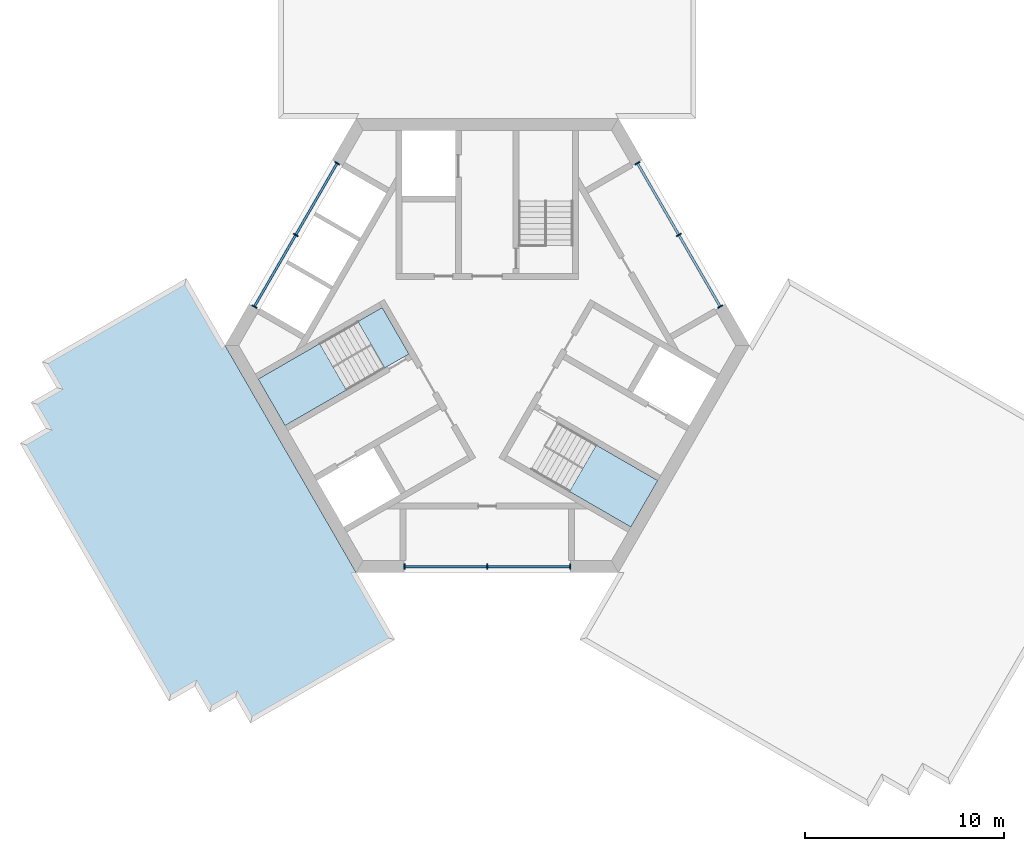
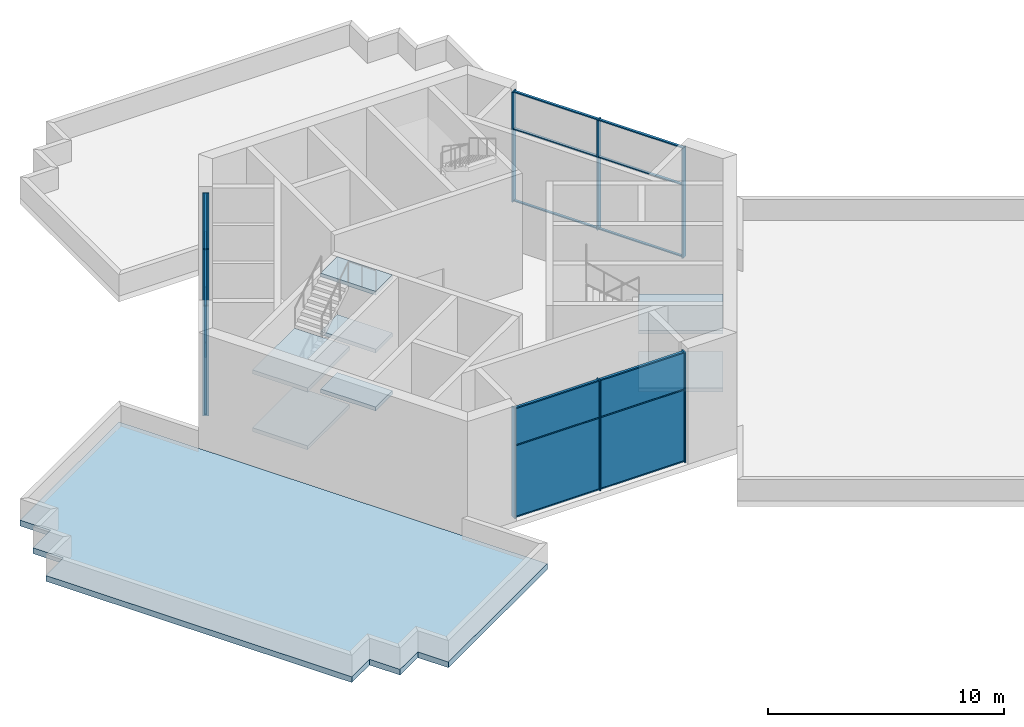
# One storey, part 1 of 5: 27 members, 8 plates, 8 slabs, 5 elements without a shape of their own.
"""IFC4 building model written with IfcOpenShell, lengths in metres."""

from ifc_helpers import new_model, si_unit, direction, frame, origin, origin_2d, place, context, subcontext, project, spatial, polyline, rectangle, outline, extrude, material, layer, layer_set, material_profile, profile_set, type_object, element, aggregate, save


model = new_model("IFC4")

# Units and contexts
model_context = context("Model", 3, precision=1e-05, world=origin(), true_north=direction((0.0, 1.0)))
body_context = subcontext(model_context, "Body", "Model", "MODEL_VIEW")
ifc_project = project(units=[si_unit("LENGTHUNIT", "METRE"), si_unit("AREAUNIT", "SQUARE_METRE"), si_unit("VOLUMEUNIT", "CUBIC_METRE"), si_unit("PLANEANGLEUNIT", "RADIAN"), si_unit("MASSUNIT", "GRAM", prefix="KILO")], contexts=[model_context])

# Site, building, storey
site_placement = place(None, origin())
site = spatial("IfcSite", under=ifc_project, at=site_placement, CompositionType="ELEMENT")
building_placement = place(site_placement, origin())
building = spatial("IfcBuilding", under=site, at=building_placement, Name="Impinga Residences", CompositionType="ELEMENT")
storey_placement = place(building_placement, frame((0.0, 0.0, 295.75)))
storey = spatial("IfcBuildingStorey", under=building, at=storey_placement, Name="L74", CompositionType="ELEMENT", Elevation=295.75)

# Curtain wall, members
ifc_material_1 = material(Name="Aluminium stick curtain wall", Category="aluminium")
curtain_wall_type = type_object("IfcCurtainWallType", Name="CW4 plant floor louvred curtain wall", PredefinedType="USERDEFINED", material=ifc_material_1)
curtain_wall_1_placement = place(storey_placement, origin())
curtain_wall_1 = element("IfcCurtainWall", 1, at=curtain_wall_1_placement, inside=storey, type_object=curtain_wall_type, Name="Curtain wall CW4 L74", ObjectType="STICK CURTAIN WALL", PredefinedType="USERDEFINED")
ifc_material_2 = material(Name="Aluminium mullion", Category="aluminium")
ifc_material_profile_1 = material_profile(ifc_material_2, rectangle(XDim=0.06005859375, YDim=0.27490234375, at=origin_2d()), Name="60x275 mullion")
ifc_profile_set_1 = profile_set([ifc_material_profile_1], Name="Aluminium mullion")
member_type_1 = type_object("IfcMemberType", Name="CW4-M mullion 60x275", PredefinedType="MULLION", material=ifc_profile_set_1)
member_1_placement = place(storey_placement, frame((-4.169921875, -11.131591796875, 0.0), z_axis=(0.0, 0.0, 1.0), x_axis=(1.0, 0.0, 0.0)))
member_1 = element("IfcMember", 2, at=member_1_placement, type_object=member_type_1, Name="CW4 mullion 1", PredefinedType="MULLION", context=body_context, shape_type="SweptSolid", body=[
    extrude(rectangle(XDim=0.06005859375, YDim=0.27490234375, at=origin_2d()), origin(), (0.0, 0.0, 1.0), 5.699951171875),
])
member_2_placement = place(storey_placement, frame((0.0, -11.131591796875, 0.0), z_axis=(0.0, 0.0, 1.0), x_axis=(1.0, 0.0, 0.0)))
member_2 = element("IfcMember", 3, at=member_2_placement, type_object=member_type_1, Name="CW4 mullion 2", PredefinedType="MULLION", context=body_context, shape_type="SweptSolid", body=[
    extrude(rectangle(XDim=0.06005859375, YDim=0.27490234375, at=origin_2d()), origin(), (0.0, 0.0, 1.0), 5.699951171875),
])
member_3_placement = place(storey_placement, frame((4.169921875, -11.131591796875, 0.0), z_axis=(0.0, 0.0, 1.0), x_axis=(1.0, 0.0, 0.0)))
member_3 = element("IfcMember", 4, at=member_3_placement, type_object=member_type_1, Name="CW4 mullion 3", PredefinedType="MULLION", context=body_context, shape_type="SweptSolid", body=[
    extrude(rectangle(XDim=0.06005859375, YDim=0.27490234375, at=origin_2d()), origin(), (0.0, 0.0, 1.0), 5.699951171875),
])

curtain_wall_2_placement = place(storey_placement, origin())
curtain_wall_2 = element("IfcCurtainWall", 5, at=curtain_wall_2_placement, inside=storey, type_object=curtain_wall_type, Name="Curtain wall CW4 L74", ObjectType="STICK CURTAIN WALL", PredefinedType="USERDEFINED")
member_4_placement = place(storey_placement, frame((11.72509765625, 1.954345703125, 0.0), z_axis=(0.0, 0.0, 1.0), x_axis=(-0.500000020194, 0.866025392126, 0.0)))
member_4 = element("IfcMember", 6, at=member_4_placement, type_object=member_type_1, Name="CW4 mullion 1", PredefinedType="MULLION", context=body_context, shape_type="SweptSolid", body=[
    extrude(rectangle(XDim=0.06005859375, YDim=0.27490234375, at=origin_2d()), origin(), (0.0, 0.0, 1.0), 5.699951171875),
])
member_5_placement = place(storey_placement, frame((9.64013671875, 5.565673828125, 0.0), z_axis=(0.0, 0.0, 1.0), x_axis=(-0.500000020194, 0.866025392126, 0.0)))
member_5 = element("IfcMember", 7, at=member_5_placement, type_object=member_type_1, Name="CW4 mullion 2", PredefinedType="MULLION", context=body_context, shape_type="SweptSolid", body=[
    extrude(rectangle(XDim=0.06005859375, YDim=0.27490234375, at=origin_2d()), origin(), (0.0, 0.0, 1.0), 5.699951171875),
])
member_6_placement = place(storey_placement, frame((7.55517578125, 9.177001953125, 0.0), z_axis=(0.0, 0.0, 1.0), x_axis=(-0.500000020194, 0.866025392126, 0.0)))
member_6 = element("IfcMember", 8, at=member_6_placement, type_object=member_type_1, Name="CW4 mullion 3", PredefinedType="MULLION", context=body_context, shape_type="SweptSolid", body=[
    extrude(rectangle(XDim=0.06005859375, YDim=0.27490234375, at=origin_2d()), origin(), (0.0, 0.0, 1.0), 5.699951171875),
])

curtain_wall_3_placement = place(storey_placement, origin())
curtain_wall_3 = element("IfcCurtainWall", 9, at=curtain_wall_3_placement, inside=storey, type_object=curtain_wall_type, Name="Curtain wall CW4 L74", ObjectType="STICK CURTAIN WALL", PredefinedType="USERDEFINED")
member_7_placement = place(storey_placement, frame((-7.55517578125, 9.177001953125, 0.0), z_axis=(0.0, 0.0, 1.0), x_axis=(-0.500000020194, -0.866025392126, 0.0)))
member_7 = element("IfcMember", 10, at=member_7_placement, type_object=member_type_1, Name="CW4 mullion 1", PredefinedType="MULLION", context=body_context, shape_type="SweptSolid", body=[
    extrude(rectangle(XDim=0.06005859375, YDim=0.27490234375, at=origin_2d()), origin(), (0.0, 0.0, 1.0), 5.699951171875),
])
member_8_placement = place(storey_placement, frame((-9.64013671875, 5.565673828125, 0.0), z_axis=(0.0, 0.0, 1.0), x_axis=(-0.500000020194, -0.866025392126, 0.0)))
member_8 = element("IfcMember", 11, at=member_8_placement, type_object=member_type_1, Name="CW4 mullion 2", PredefinedType="MULLION", context=body_context, shape_type="SweptSolid", body=[
    extrude(rectangle(XDim=0.06005859375, YDim=0.27490234375, at=origin_2d()), origin(), (0.0, 0.0, 1.0), 5.699951171875),
])
member_9_placement = place(storey_placement, frame((-11.72509765625, 1.954345703125, 0.0), z_axis=(0.0, 0.0, 1.0), x_axis=(-0.500000020194, -0.866025392126, 0.0)))
member_9 = element("IfcMember", 12, at=member_9_placement, type_object=member_type_1, Name="CW4 mullion 3", PredefinedType="MULLION", context=body_context, shape_type="SweptSolid", body=[
    extrude(rectangle(XDim=0.06005859375, YDim=0.27490234375, at=origin_2d()), origin(), (0.0, 0.0, 1.0), 5.699951171875),
])

# Member
ifc_material_3 = material(Name="Aluminium transom", Category="aluminium")
ifc_material_profile_2 = material_profile(ifc_material_3, rectangle(XDim=0.06005859375, YDim=0.1201171875, at=origin_2d()), Name="60x120 transom")
ifc_profile_set_2 = profile_set([ifc_material_profile_2], Name="Aluminium transom")
member_type_2 = type_object("IfcMemberType", Name="CW4-T transom 60x120", PredefinedType="USERDEFINED", material=ifc_profile_set_2)
member_10_placement = place(storey_placement, frame((-4.139892578125, -11.131591796875, 0.030029296875), z_axis=(1.0, 0.0, 0.0), x_axis=(0.0, 0.0, 1.0)))
member_10 = element("IfcMember", 13, at=member_10_placement, type_object=member_type_2, Name="CW4 transom 1.1", ObjectType="TRANSOM", PredefinedType="USERDEFINED", context=body_context, shape_type="SweptSolid", body=[
    extrude(rectangle(XDim=0.06005859375, YDim=0.1201171875, at=origin_2d()), origin(), (0.0, 0.0, 1.0), 4.10986328125),
])

member_11_placement = place(storey_placement, frame((-4.139892578125, -11.131591796875, 3.75), z_axis=(1.0, 0.0, 0.0), x_axis=(0.0, 0.0, 1.0)))
member_11 = element("IfcMember", 14, at=member_11_placement, type_object=member_type_2, Name="CW4 transom 1.2", ObjectType="TRANSOM", PredefinedType="USERDEFINED", context=body_context, shape_type="SweptSolid", body=[
    extrude(rectangle(XDim=0.06005859375, YDim=0.1201171875, at=origin_2d()), origin(), (0.0, 0.0, 1.0), 4.10986328125),
])

member_12_placement = place(storey_placement, frame((-4.139892578125, -11.131591796875, 5.669921875), z_axis=(1.0, 0.0, 0.0), x_axis=(0.0, 0.0, 1.0)))
member_12 = element("IfcMember", 15, at=member_12_placement, type_object=member_type_2, Name="CW4 transom 1.3", ObjectType="TRANSOM", PredefinedType="USERDEFINED", context=body_context, shape_type="SweptSolid", body=[
    extrude(rectangle(XDim=0.06005859375, YDim=0.1201171875, at=origin_2d()), origin(), (0.0, 0.0, 1.0), 4.10986328125),
])

member_13_placement = place(storey_placement, frame((0.030029296875, -11.131591796875, 0.030029296875), z_axis=(1.0, 0.0, 0.0), x_axis=(0.0, 0.0, 1.0)))
member_13 = element("IfcMember", 16, at=member_13_placement, type_object=member_type_2, Name="CW4 transom 2.1", ObjectType="TRANSOM", PredefinedType="USERDEFINED", context=body_context, shape_type="SweptSolid", body=[
    extrude(rectangle(XDim=0.06005859375, YDim=0.1201171875, at=origin_2d()), origin(), (0.0, 0.0, 1.0), 4.10986328125),
])

member_14_placement = place(storey_placement, frame((0.030029296875, -11.131591796875, 3.75), z_axis=(1.0, 0.0, 0.0), x_axis=(0.0, 0.0, 1.0)))
member_14 = element("IfcMember", 17, at=member_14_placement, type_object=member_type_2, Name="CW4 transom 2.2", ObjectType="TRANSOM", PredefinedType="USERDEFINED", context=body_context, shape_type="SweptSolid", body=[
    extrude(rectangle(XDim=0.06005859375, YDim=0.1201171875, at=origin_2d()), origin(), (0.0, 0.0, 1.0), 4.10986328125),
])

member_15_placement = place(storey_placement, frame((0.030029296875, -11.131591796875, 5.669921875), z_axis=(1.0, 0.0, 0.0), x_axis=(0.0, 0.0, 1.0)))
member_15 = element("IfcMember", 18, at=member_15_placement, type_object=member_type_2, Name="CW4 transom 2.3", ObjectType="TRANSOM", PredefinedType="USERDEFINED", context=body_context, shape_type="SweptSolid", body=[
    extrude(rectangle(XDim=0.06005859375, YDim=0.1201171875, at=origin_2d()), origin(), (0.0, 0.0, 1.0), 4.10986328125),
])

member_16_placement = place(storey_placement, frame((11.710205078125, 1.98046875, 0.030029296875), z_axis=(-0.499991554064, 0.866030279993, 0.0), x_axis=(0.0, 0.0, 1.0)))
member_16 = element("IfcMember", 19, at=member_16_placement, type_object=member_type_2, Name="CW4 transom 1.1", ObjectType="TRANSOM", PredefinedType="USERDEFINED", context=body_context, shape_type="SweptSolid", body=[
    extrude(rectangle(XDim=0.06005859375, YDim=0.1201171875, at=origin_2d()), origin(), (0.0, 0.0, 1.0), 4.10986328125),
])

member_17_placement = place(storey_placement, frame((11.710205078125, 1.98046875, 3.75), z_axis=(-0.499991554064, 0.866030279993, 0.0), x_axis=(0.0, 0.0, 1.0)))
member_17 = element("IfcMember", 20, at=member_17_placement, type_object=member_type_2, Name="CW4 transom 1.2", ObjectType="TRANSOM", PredefinedType="USERDEFINED", context=body_context, shape_type="SweptSolid", body=[
    extrude(rectangle(XDim=0.06005859375, YDim=0.1201171875, at=origin_2d()), origin(), (0.0, 0.0, 1.0), 4.10986328125),
])

member_18_placement = place(storey_placement, frame((11.710205078125, 1.98046875, 5.669921875), z_axis=(-0.499991554064, 0.866030279993, 0.0), x_axis=(0.0, 0.0, 1.0)))
member_18 = element("IfcMember", 21, at=member_18_placement, type_object=member_type_2, Name="CW4 transom 1.3", ObjectType="TRANSOM", PredefinedType="USERDEFINED", context=body_context, shape_type="SweptSolid", body=[
    extrude(rectangle(XDim=0.06005859375, YDim=0.1201171875, at=origin_2d()), origin(), (0.0, 0.0, 1.0), 4.10986328125),
])

member_19_placement = place(storey_placement, frame((9.625244140625, 5.591796875, 0.030029296875), z_axis=(-0.499991554064, 0.866030279993, 0.0), x_axis=(0.0, 0.0, 1.0)))
member_19 = element("IfcMember", 22, at=member_19_placement, type_object=member_type_2, Name="CW4 transom 2.1", ObjectType="TRANSOM", PredefinedType="USERDEFINED", context=body_context, shape_type="SweptSolid", body=[
    extrude(rectangle(XDim=0.06005859375, YDim=0.1201171875, at=origin_2d()), origin(), (0.0, 0.0, 1.0), 4.10986328125),
])

member_20_placement = place(storey_placement, frame((9.625244140625, 5.591796875, 3.75), z_axis=(-0.499991554064, 0.866030279993, 0.0), x_axis=(0.0, 0.0, 1.0)))
member_20 = element("IfcMember", 23, at=member_20_placement, type_object=member_type_2, Name="CW4 transom 2.2", ObjectType="TRANSOM", PredefinedType="USERDEFINED", context=body_context, shape_type="SweptSolid", body=[
    extrude(rectangle(XDim=0.06005859375, YDim=0.1201171875, at=origin_2d()), origin(), (0.0, 0.0, 1.0), 4.10986328125),
])

member_21_placement = place(storey_placement, frame((9.625244140625, 5.591796875, 5.669921875), z_axis=(-0.499991554064, 0.866030279993, 0.0), x_axis=(0.0, 0.0, 1.0)))
member_21 = element("IfcMember", 24, at=member_21_placement, type_object=member_type_2, Name="CW4 transom 2.3", ObjectType="TRANSOM", PredefinedType="USERDEFINED", context=body_context, shape_type="SweptSolid", body=[
    extrude(rectangle(XDim=0.06005859375, YDim=0.1201171875, at=origin_2d()), origin(), (0.0, 0.0, 1.0), 4.10986328125),
])

aggregate(curtain_wall_2, [member_4, member_5, member_6, member_16, member_17, member_18, member_19, member_20, member_21])

member_22_placement = place(storey_placement, frame((-7.5703125, 9.151123046875, 0.030029296875), z_axis=(-0.499991554064, -0.866030279993, 0.0), x_axis=(0.0, 0.0, 1.0)))
member_22 = element("IfcMember", 25, at=member_22_placement, type_object=member_type_2, Name="CW4 transom 1.1", ObjectType="TRANSOM", PredefinedType="USERDEFINED", context=body_context, shape_type="SweptSolid", body=[
    extrude(rectangle(XDim=0.06005859375, YDim=0.1201171875, at=origin_2d()), origin(), (0.0, 0.0, 1.0), 4.10986328125),
])

member_23_placement = place(storey_placement, frame((-7.5703125, 9.151123046875, 3.75), z_axis=(-0.499991554064, -0.866030279993, 0.0), x_axis=(0.0, 0.0, 1.0)))
member_23 = element("IfcMember", 26, at=member_23_placement, type_object=member_type_2, Name="CW4 transom 1.2", ObjectType="TRANSOM", PredefinedType="USERDEFINED", context=body_context, shape_type="SweptSolid", body=[
    extrude(rectangle(XDim=0.06005859375, YDim=0.1201171875, at=origin_2d()), origin(), (0.0, 0.0, 1.0), 4.10986328125),
])

member_24_placement = place(storey_placement, frame((-7.5703125, 9.151123046875, 5.669921875), z_axis=(-0.499991554064, -0.866030279993, 0.0), x_axis=(0.0, 0.0, 1.0)))
member_24 = element("IfcMember", 27, at=member_24_placement, type_object=member_type_2, Name="CW4 transom 1.3", ObjectType="TRANSOM", PredefinedType="USERDEFINED", context=body_context, shape_type="SweptSolid", body=[
    extrude(rectangle(XDim=0.06005859375, YDim=0.1201171875, at=origin_2d()), origin(), (0.0, 0.0, 1.0), 4.10986328125),
])

member_25_placement = place(storey_placement, frame((-9.6552734375, 5.539794921875, 0.030029296875), z_axis=(-0.499991554064, -0.866030279993, 0.0), x_axis=(0.0, 0.0, 1.0)))
member_25 = element("IfcMember", 28, at=member_25_placement, type_object=member_type_2, Name="CW4 transom 2.1", ObjectType="TRANSOM", PredefinedType="USERDEFINED", context=body_context, shape_type="SweptSolid", body=[
    extrude(rectangle(XDim=0.06005859375, YDim=0.1201171875, at=origin_2d()), origin(), (0.0, 0.0, 1.0), 4.10986328125),
])

member_26_placement = place(storey_placement, frame((-9.6552734375, 5.539794921875, 3.75), z_axis=(-0.499991554064, -0.866030279993, 0.0), x_axis=(0.0, 0.0, 1.0)))
member_26 = element("IfcMember", 29, at=member_26_placement, type_object=member_type_2, Name="CW4 transom 2.2", ObjectType="TRANSOM", PredefinedType="USERDEFINED", context=body_context, shape_type="SweptSolid", body=[
    extrude(rectangle(XDim=0.06005859375, YDim=0.1201171875, at=origin_2d()), origin(), (0.0, 0.0, 1.0), 4.10986328125),
])

member_27_placement = place(storey_placement, frame((-9.6552734375, 5.539794921875, 5.669921875), z_axis=(-0.499991554064, -0.866030279993, 0.0), x_axis=(0.0, 0.0, 1.0)))
member_27 = element("IfcMember", 30, at=member_27_placement, type_object=member_type_2, Name="CW4 transom 2.3", ObjectType="TRANSOM", PredefinedType="USERDEFINED", context=body_context, shape_type="SweptSolid", body=[
    extrude(rectangle(XDim=0.06005859375, YDim=0.1201171875, at=origin_2d()), origin(), (0.0, 0.0, 1.0), 4.10986328125),
])

# Plate
ifc_material_4 = material(Name="Aluminium louvre blade panel", Category="aluminium")
ifc_layer_1 = layer(ifc_material_4, 0.10009765625)
ifc_layer_set_1 = layer_set([ifc_layer_1], Name="CW4-P louvre panel 100")
plate_type = type_object("IfcPlateType", Name="CW4-P louvre panel 100", PredefinedType="CURTAIN_PANEL", material=ifc_layer_set_1)
plate_1_placement = place(storey_placement, frame((-2.0849609375, -11.131591796875, 0.06005859375), z_axis=(0.0, 0.0, 1.0), x_axis=(1.0, 0.0, 0.0)))
plate_1 = element("IfcPlate", 31, at=plate_1_placement, type_object=plate_type, Name="CW4 panel 1.1", PredefinedType="CURTAIN_PANEL", context=body_context, shape_type="SweptSolid", body=[
    extrude(rectangle(XDim=4.110107421875, YDim=0.10009765625, at=origin_2d()), origin(), (0.0, 0.0, 1.0), 3.659912109375),
])

plate_2_placement = place(storey_placement, frame((-2.0849609375, -11.131591796875, 3.77978515625), z_axis=(0.0, 0.0, 1.0), x_axis=(1.0, 0.0, 0.0)))
plate_2 = element("IfcPlate", 32, at=plate_2_placement, type_object=plate_type, Name="CW4 panel 1.2", PredefinedType="CURTAIN_PANEL", context=body_context, shape_type="SweptSolid", body=[
    extrude(rectangle(XDim=4.110107421875, YDim=0.10009765625, at=origin_2d()), origin(), (0.0, 0.0, 1.0), 1.860107421875),
])

plate_3_placement = place(storey_placement, frame((2.0849609375, -11.131591796875, 0.06005859375), z_axis=(0.0, 0.0, 1.0), x_axis=(1.0, 0.0, 0.0)))
plate_3 = element("IfcPlate", 33, at=plate_3_placement, type_object=plate_type, Name="CW4 panel 2.1", PredefinedType="CURTAIN_PANEL", context=body_context, shape_type="SweptSolid", body=[
    extrude(rectangle(XDim=4.110107421875, YDim=0.10009765625, at=origin_2d()), origin(), (0.0, 0.0, 1.0), 3.659912109375),
])

plate_4_placement = place(storey_placement, frame((2.0849609375, -11.131591796875, 3.77978515625), z_axis=(0.0, 0.0, 1.0), x_axis=(1.0, 0.0, 0.0)))
plate_4 = element("IfcPlate", 34, at=plate_4_placement, type_object=plate_type, Name="CW4 panel 2.2", PredefinedType="CURTAIN_PANEL", context=body_context, shape_type="SweptSolid", body=[
    extrude(rectangle(XDim=4.110107421875, YDim=0.10009765625, at=origin_2d()), origin(), (0.0, 0.0, 1.0), 1.860107421875),
])

aggregate(curtain_wall_1, [member_1, member_2, member_3, member_10, member_11, member_12, plate_1, plate_2, member_13, member_14, member_15, plate_3, plate_4])

plate_5_placement = place(storey_placement, frame((-8.59765625, 7.371337890625, 0.06005859375), z_axis=(0.0, 0.0, 1.0), x_axis=(-0.500000020194, -0.866025392126, 0.0)))
plate_5 = element("IfcPlate", 35, at=plate_5_placement, type_object=plate_type, Name="CW4 panel 1.1", PredefinedType="CURTAIN_PANEL", context=body_context, shape_type="SweptSolid", body=[
    extrude(rectangle(XDim=4.110107421875, YDim=0.10009765625, at=origin_2d()), origin(), (0.0, 0.0, 1.0), 3.659912109375),
])

plate_6_placement = place(storey_placement, frame((-8.59765625, 7.371337890625, 3.77978515625), z_axis=(0.0, 0.0, 1.0), x_axis=(-0.500000020194, -0.866025392126, 0.0)))
plate_6 = element("IfcPlate", 36, at=plate_6_placement, type_object=plate_type, Name="CW4 panel 1.2", PredefinedType="CURTAIN_PANEL", context=body_context, shape_type="SweptSolid", body=[
    extrude(rectangle(XDim=4.110107421875, YDim=0.10009765625, at=origin_2d()), origin(), (0.0, 0.0, 1.0), 1.860107421875),
])

plate_7_placement = place(storey_placement, frame((-10.6826171875, 3.760009765625, 0.06005859375), z_axis=(0.0, 0.0, 1.0), x_axis=(-0.500000020194, -0.866025392126, 0.0)))
plate_7 = element("IfcPlate", 37, at=plate_7_placement, type_object=plate_type, Name="CW4 panel 2.1", PredefinedType="CURTAIN_PANEL", context=body_context, shape_type="SweptSolid", body=[
    extrude(rectangle(XDim=4.110107421875, YDim=0.10009765625, at=origin_2d()), origin(), (0.0, 0.0, 1.0), 3.659912109375),
])

plate_8_placement = place(storey_placement, frame((-10.6826171875, 3.760009765625, 3.77978515625), z_axis=(0.0, 0.0, 1.0), x_axis=(-0.500000020194, -0.866025392126, 0.0)))
plate_8 = element("IfcPlate", 38, at=plate_8_placement, type_object=plate_type, Name="CW4 panel 2.2", PredefinedType="CURTAIN_PANEL", context=body_context, shape_type="SweptSolid", body=[
    extrude(rectangle(XDim=4.110107421875, YDim=0.10009765625, at=origin_2d()), origin(), (0.0, 0.0, 1.0), 1.860107421875),
])

aggregate(curtain_wall_3, [member_7, member_8, member_9, member_22, member_23, member_24, plate_5, plate_6, member_25, member_26, member_27, plate_7, plate_8])

# Slab
ifc_material_5 = material(Name="Concrete C60/75", Category="concrete")
ifc_layer_2 = layer(ifc_material_5, 0.300048828125)
ifc_layer_set_2 = layer_set([ifc_layer_2], Name="Concrete C60/75")
slab_type_1 = type_object("IfcSlabType", Name="GS1 podium green roof slab 300", PredefinedType="ROOF", material=ifc_layer_set_2)
slab_1_placement = place(storey_placement, frame((0.0, 0.0, -0.300048828125)))
element("IfcSlab", 39, at=slab_1_placement, inside=storey, type_object=slab_type_1, Name="Roof GS1 L74", PredefinedType="ROOF", context=body_context, shape_type="SweptSolid", body=[
    extrude(outline(polyline([(-4.64990234375, -14.80908203125), (-11.924560546875, -19.009033203125), (-12.674560546875, -17.7099609375), (-13.9736328125, -18.4599609375), (-14.7236328125, -17.160888671875), (-16.022705078125, -17.910888671875), (-23.522705078125, -4.920654296875), (-22.2236328125, -4.170654296875), (-22.9736328125, -2.87158203125), (-21.674560546875, -2.12158203125), (-22.424560546875, -0.822509765625), (-15.14990234375, 3.37744140625), (-13.20068359375, 0.0009765625), (-13.200927734375, 0.00048828125), (-13.200927734375, 0.00048828125), (-13.200927734375, 0.000244140625), (-13.200927734375, 0.000244140625), (-13.200927734375, 0.000244140625), (-13.200927734375, 0.0), (-13.200927734375, 0.0), (-13.200927734375, -0.000244140625), (-13.200927734375, -0.000244140625), (-13.200927734375, -0.000244140625), (-13.200927734375, -0.00048828125), (-13.200927734375, -0.00048828125), (-6.600830078125, -11.43212890625), (-6.600830078125, -11.43212890625), (-6.600830078125, -11.43212890625), (-6.6005859375, -11.432373046875), (-6.6005859375, -11.432373046875), (-6.6005859375, -11.432373046875), (-6.600341796875, -11.432373046875), (-6.600341796875, -11.432373046875), (-6.600341796875, -11.432373046875), (-6.60009765625, -11.4326171875), (-6.60009765625, -11.4326171875), (-6.60009765625, -11.4326171875), (-6.599365234375, -11.4326171875), (-4.64990234375, -14.80908203125)])), origin(), (0.0, 0.0, 1.0), 0.300048828125),
])

# Stair, slabs
ifc_material_6 = material(Name="Concrete C40/50", Category="concrete")
stair_type = type_object("IfcStairType", Name="STR core stair 6000 storey, 36 risers", PredefinedType="HALF_TURN_STAIR", material=ifc_material_6)
stair_1_placement = place(storey_placement, origin())
stair_1 = element("IfcStair", 40, at=stair_1_placement, inside=storey, type_object=stair_type, Name="Stair ST2 L74", PredefinedType="HALF_TURN_STAIR")
ifc_layer_3 = layer(ifc_material_6, 0.199951171875)
ifc_layer_set_3 = layer_set([ifc_layer_3], Name="Concrete C40/50")
slab_type_2 = type_object("IfcSlabType", Name="LS1 stair landing 200", PredefinedType="LANDING", material=ifc_layer_set_3)
slab_2_placement = place(storey_placement, frame((0.0, 0.0, -0.199951171875)))
slab_2 = element("IfcSlab", 41, at=slab_2_placement, type_object=slab_type_2, Name="ST2 landing 1", PredefinedType="LANDING", context=body_context, shape_type="SweptSolid", body=[
    extrude(outline(polyline([(-3.943603515625, -0.429443359375), (-5.293701171875, 1.908935546875), (-6.5146484375, 1.203857421875), (-5.164794921875, -1.13427734375), (-3.943603515625, -0.429443359375)])), origin(), (0.0, 0.0, 1.0), 0.199951171875),
])
slab_3_placement = place(storey_placement, frame((0.0, 0.0, 1.300048828125)))
slab_3 = element("IfcSlab", 42, at=slab_3_placement, type_object=slab_type_2, Name="ST2 landing 2", PredefinedType="LANDING", context=body_context, shape_type="SweptSolid", body=[
    extrude(outline(polyline([(-7.08740234375, -2.244384765625), (-8.437255859375, 0.093994140625), (-11.5302734375, -1.69189453125), (-10.180419921875, -4.030029296875), (-7.08740234375, -2.244384765625)])), origin(), (0.0, 0.0, 1.0), 0.199951171875),
])
slab_4_placement = place(storey_placement, frame((0.0, 0.0, 2.800048828125)))
slab_4 = element("IfcSlab", 43, at=slab_4_placement, type_object=slab_type_2, Name="ST2 landing 3", PredefinedType="LANDING", context=body_context, shape_type="SweptSolid", body=[
    extrude(outline(polyline([(-3.943603515625, -0.429443359375), (-5.293701171875, 1.908935546875), (-6.5146484375, 1.203857421875), (-5.164794921875, -1.13427734375), (-3.943603515625, -0.429443359375)])), origin(), (0.0, 0.0, 1.0), 0.199951171875),
])
slab_5_placement = place(storey_placement, frame((0.0, 0.0, 4.300048828125)))
slab_5 = element("IfcSlab", 44, at=slab_5_placement, type_object=slab_type_2, Name="ST2 landing 4", PredefinedType="LANDING", context=body_context, shape_type="SweptSolid", body=[
    extrude(outline(polyline([(-7.08740234375, -2.244384765625), (-8.437255859375, 0.093994140625), (-11.5302734375, -1.69189453125), (-10.180419921875, -4.030029296875), (-7.08740234375, -2.244384765625)])), origin(), (0.0, 0.0, 1.0), 0.199951171875),
])
slab_6_placement = place(storey_placement, frame((0.0, 0.0, 5.800048828125)))
slab_6 = element("IfcSlab", 45, at=slab_6_placement, type_object=slab_type_2, Name="ST2 landing 5", PredefinedType="LANDING", context=body_context, shape_type="SweptSolid", body=[
    extrude(outline(polyline([(-3.943603515625, -0.429443359375), (-5.293701171875, 1.908935546875), (-6.5146484375, 1.203857421875), (-5.164794921875, -1.13427734375), (-3.943603515625, -0.429443359375)])), origin(), (0.0, 0.0, 1.0), 0.199951171875),
])
aggregate(stair_1, [slab_2, slab_3, slab_4, slab_5, slab_6])

stair_2_placement = place(storey_placement, origin())
stair_2 = element("IfcStair", 46, at=stair_2_placement, inside=storey, type_object=stair_type, Name="Stair ST3 L74", PredefinedType="HALF_TURN_STAIR")
slab_7_placement = place(storey_placement, frame((0.0, 0.0, 1.300048828125)))
slab_7 = element("IfcSlab", 47, at=slab_7_placement, type_object=slab_type_2, Name="ST3 landing 2", PredefinedType="LANDING", context=body_context, shape_type="SweptSolid", body=[
    extrude(outline(polyline([(5.4873046875, -5.015625), (4.137451171875, -7.35400390625), (7.23046875, -9.1396484375), (8.580322265625, -6.801513671875), (5.4873046875, -5.015625)])), origin(), (0.0, 0.0, 1.0), 0.199951171875),
])
slab_8_placement = place(storey_placement, frame((0.0, 0.0, 4.300048828125)))
slab_8 = element("IfcSlab", 48, at=slab_8_placement, type_object=slab_type_2, Name="ST3 landing 4", PredefinedType="LANDING", context=body_context, shape_type="SweptSolid", body=[
    extrude(outline(polyline([(5.4873046875, -5.015625), (4.137451171875, -7.35400390625), (7.23046875, -9.1396484375), (8.580322265625, -6.801513671875), (5.4873046875, -5.015625)])), origin(), (0.0, 0.0, 1.0), 0.199951171875),
])
aggregate(stair_2, [slab_7, slab_8])

save(model, "model.ifc")
